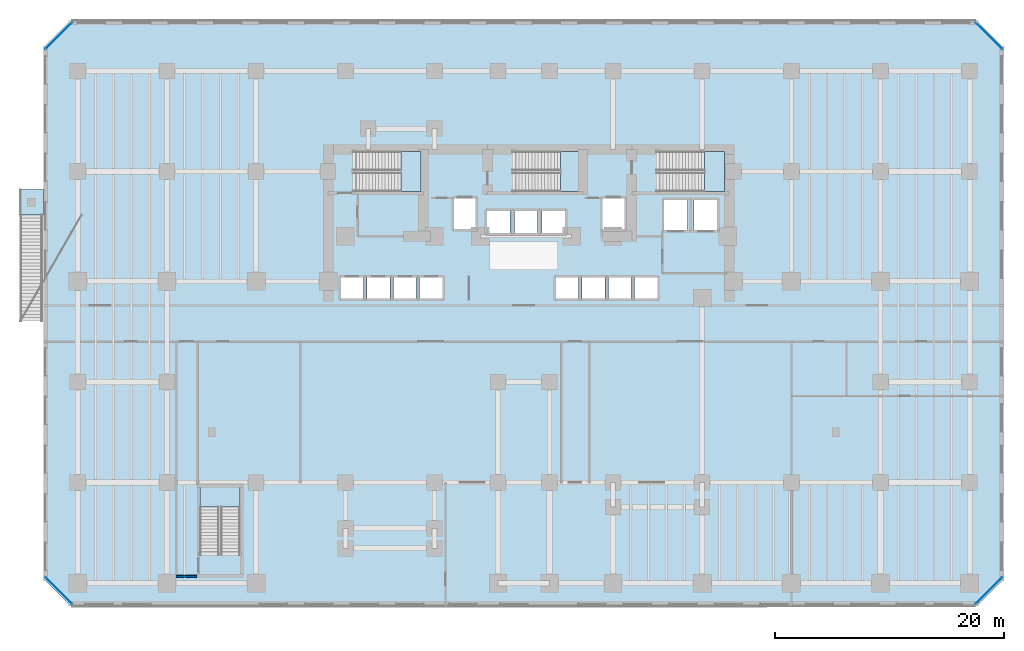
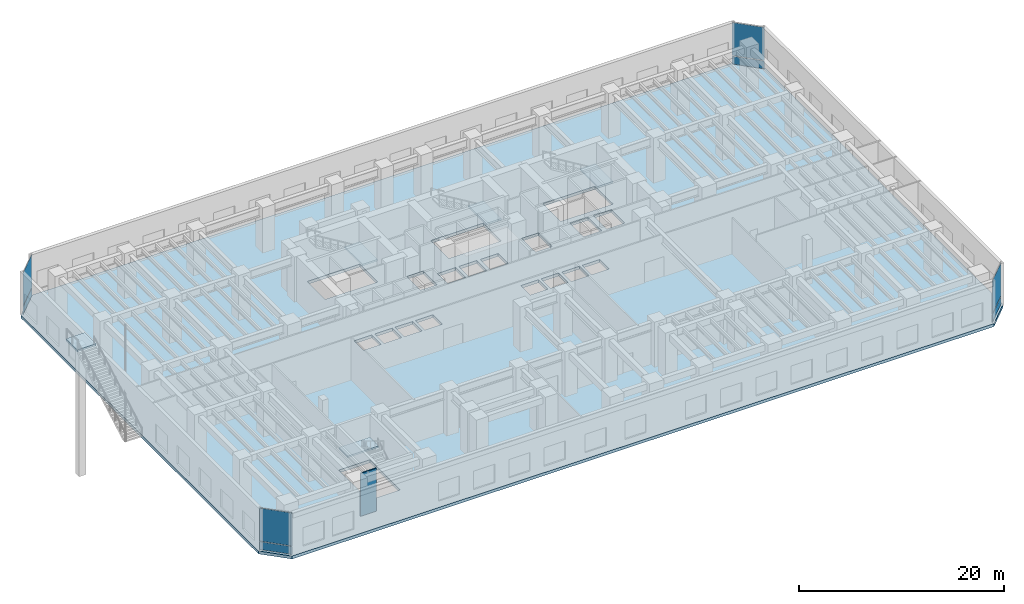
# One storey, part 9 of 21: 8 plates, 6 slabs, 1 wall, 9 elements without a shape of their own.
"""IFC4 building model written with IfcOpenShell, lengths in metres."""

import ifcopenshell
import ifcopenshell.guid

model = None  # the IFC model being written
_history = None  # IfcOwnerHistory: only IFC2X3 demands one
_inside = {}  # id of a spatial element -> (the spatial element, [elements in it])
_under = {}  # id of a project, library or spatial element -> (it, [spatial elements below it])
_declared = {}  # id of a project -> (the project, [libraries it declares])
_typed = {}  # id of a type object -> (the type object, [elements of that type])
_made_of = {}  # id of a material, layer set ... -> (it, [elements and type objects made of it])


def new_model(schema):
    """Start an empty IFC model of exactly this schema.

    Asked for "IFC4X3", IfcOpenShell would pick the latest addendum, in which some entities
    have other attributes; the version numbers below select the first issue.
    IFC2X3 requires an IfcOwnerHistory on every rooted entity: one is made here for all.
    """
    global model, _history
    if schema == "IFC4X3":
        model = ifcopenshell.file(schema_version=(4, 3, 0, 0))
    else:
        model = ifcopenshell.file(schema=schema)
    _inside.clear()
    _under.clear()
    _declared.clear()
    _typed.clear()
    _made_of.clear()
    _history = None
    if model.schema == "IFC2X3":
        org = make("IfcOrganization", Name="unknown")
        user = make(
            "IfcPersonAndOrganization",
            ThePerson=make("IfcPerson", FamilyName="unknown"),
            TheOrganization=org,
        )
        app = make(
            "IfcApplication",
            ApplicationDeveloper=org,
            Version="unknown",
            ApplicationFullName="unknown",
            ApplicationIdentifier="unknown",
        )
        _history = make(
            "IfcOwnerHistory",
            OwningUser=user,
            OwningApplication=app,
            ChangeAction="ADDED",
            CreationDate=0,
        )
    return model


def make(cls, **values):
    """One entity of the class cls with the attributes given. An attribute that is None is left unset."""
    return model.create_entity(
        cls, **{name: value for name, value in values.items() if value is not None}
    )


def rooted(cls, **values):
    """An entity with a GlobalId (a new one), such as an element, a storey or a relation."""
    return make(cls, GlobalId=ifcopenshell.guid.new(), OwnerHistory=_history, **values)


def si_unit(unit_type, name, prefix=None):
    """IfcSIUnit, for example si_unit("LENGTHUNIT", "METRE", prefix="MILLI")."""
    return make("IfcSIUnit", UnitType=unit_type, Prefix=prefix, Name=name)


def assignment(units):
    """IfcUnitAssignment: the units of a project."""
    return None if units is None else make("IfcUnitAssignment", Units=units)


def point(xyz):
    """IfcCartesianPoint."""
    return None if xyz is None else make("IfcCartesianPoint", Coordinates=xyz)


def direction(xyz):
    """IfcDirection."""
    return None if xyz is None else make("IfcDirection", DirectionRatios=xyz)


def frame(location, z_axis=None, x_axis=None):
    """IfcAxis2Placement3D, a coordinate frame: its origin and axes. An axis left out is left unset."""
    return make(
        "IfcAxis2Placement3D",
        Location=point(location),
        Axis=direction(z_axis),
        RefDirection=direction(x_axis),
    )


def frame_2d(location, x_axis=None):
    """IfcAxis2Placement2D, a coordinate frame in the plane: its origin and x axis."""
    return make(
        "IfcAxis2Placement2D", Location=point(location), RefDirection=direction(x_axis)
    )


def origin():
    """The frame at (0, 0, 0) with its axes left unset."""
    return frame((0.0, 0.0, 0.0))


def origin_2d():
    """The frame at (0, 0) in the plane with its x axis left unset."""
    return frame_2d((0.0, 0.0))


def place(relative_to, where):
    """IfcLocalPlacement: puts the frame where relative to a parent placement (None: the world)."""
    return make(
        "IfcLocalPlacement", PlacementRelTo=relative_to, RelativePlacement=where
    )


def context(
    kind, dimensions, precision=None, world=None, true_north=None, identifier=None
):
    """IfcGeometricRepresentationContext, for example the 3D "Model" context."""
    return make(
        "IfcGeometricRepresentationContext",
        ContextIdentifier=identifier,
        ContextType=kind,
        CoordinateSpaceDimension=dimensions,
        Precision=precision,
        WorldCoordinateSystem=world,
        TrueNorth=true_north,
    )


def subcontext(parent, identifier, kind, view, scale=None):
    """IfcGeometricRepresentationSubContext, for example "Body" below "Model"."""
    return make(
        "IfcGeometricRepresentationSubContext",
        ContextIdentifier=identifier,
        ContextType=kind,
        ParentContext=parent,
        TargetScale=scale,
        TargetView=view,
    )


def project(units=None, contexts=None):
    """IfcProject with its units and contexts."""
    return rooted(
        "IfcProject",
        Name="project",
        RepresentationContexts=contexts,
        UnitsInContext=assignment(units),
    )


def spatial(cls, under=None, at=None, **own):
    """A site, building, storey or space (cls), placed at a placement, below another one or the project."""
    s = rooted(cls, ObjectPlacement=at, **own)
    if under is not None:
        _under.setdefault(under.id(), (under, []))[1].append(s)
    return s


def polyline(points):
    """IfcPolyline through the points."""
    return make("IfcPolyline", Points=[point(p) for p in points])


def profile(cls, at=None, kind="AREA", **sizes):
    """A parametric profile (cls). Its sizes go by their IFC names, for example OverallWidth=200.0."""
    return make(cls, ProfileType=kind, Position=at, **sizes)


def rectangle(**sizes):
    """IfcRectangleProfileDef."""
    return profile("IfcRectangleProfileDef", **sizes)


def outline(outer, holes=None, kind="AREA"):
    """IfcArbitraryClosedProfileDef: a profile drawn as a closed curve; with holes, ...WithVoids."""
    if holes is None:
        return make("IfcArbitraryClosedProfileDef", ProfileType=kind, OuterCurve=outer)
    return make(
        "IfcArbitraryProfileDefWithVoids",
        ProfileType=kind,
        OuterCurve=outer,
        InnerCurves=holes,
    )


def extrude(swept, where, along, depth):
    """IfcExtrudedAreaSolid: the profile swept, set in the frame where, extruded along a direction by depth."""
    return make(
        "IfcExtrudedAreaSolid",
        SweptArea=swept,
        Position=where,
        ExtrudedDirection=direction(along),
        Depth=depth,
    )


def shape(context_of_items, identifier, shape_type, items):
    """IfcShapeRepresentation: the items that make up one representation, for example the "Body"."""
    return make(
        "IfcShapeRepresentation",
        ContextOfItems=context_of_items,
        RepresentationIdentifier=identifier,
        RepresentationType=shape_type,
        Items=items,
    )


def material(Name=None, Category=None):
    """IfcMaterial."""
    return make("IfcMaterial", Name=Name, Category=Category)


def layer(
    of_material, thickness, ventilated=None, Name=None, Category=None, Priority=None
):
    """IfcMaterialLayer: one layer of a wall or slab, of a material (None: an air gap)."""
    return make(
        "IfcMaterialLayer",
        Material=of_material,
        LayerThickness=thickness,
        IsVentilated=ventilated,
        Name=Name,
        Category=Category,
        Priority=Priority,
    )


def layer_set(layers, Name=None):
    """IfcMaterialLayerSet."""
    return make("IfcMaterialLayerSet", MaterialLayers=layers, LayerSetName=Name)


def made_of(thing, what):
    """Note that an element or type object is made of a material, layer set ...; save() writes the relation."""
    if what is not None:
        _made_of.setdefault(what.id(), (what, []))[1].append(thing)
    return thing


def type_object(cls, material=None, **own):
    """A type object (cls), such as IfcWallType, which elements share."""
    return made_of(rooted(cls, **own), material)


def element(
    cls,
    number,
    at=None,
    inside=None,
    cuts=None,
    type_object=None,
    material=None,
    context=None,
    identifier="Body",
    shape_type=None,
    held_by="IfcProductDefinitionShape",
    body=None,
    shapes=None,
    **own,
):
    """One element of the class cls, such as IfcWall. Its Tag is "e" and its number.

    at: its placement. inside: the storey or other place that contains it. cuts: it is an
    opening in that element (IfcRelVoidsElement). A single representation is given by context,
    identifier, shape_type and body (its items); several are given by shapes. held_by: the class
    of the entity that holds the representations. save() writes the other relations.
    """
    e = rooted(cls, Tag="e%d" % number, ObjectPlacement=at, **own)
    if body is not None:
        shapes = [shape(context, identifier, shape_type, body)]
    if shapes is not None:
        e.Representation = make(held_by, Representations=shapes)
    if inside is not None:
        _inside.setdefault(inside.id(), (inside, []))[1].append(e)
    if cuts is not None:
        rooted(
            "IfcRelVoidsElement", RelatingBuildingElement=cuts, RelatedOpeningElement=e
        )
    if type_object is not None:
        _typed.setdefault(type_object.id(), (type_object, []))[1].append(e)
    return made_of(e, material)


def aggregate(whole, parts):
    """IfcRelAggregates: a whole, such as a stair, and the parts it consists of."""
    return rooted("IfcRelAggregates", RelatingObject=whole, RelatedObjects=parts)


def save(model, path):
    """Write the relations noted so far, then the file.

    IfcRelAggregates (storeys below a building ...), IfcRelContainedInSpatialStructure (elements
    in a storey), IfcRelDefinesByType, IfcRelAssociatesMaterial and IfcRelDeclares: one each for
    every whole, place, type object, material and project.
    """
    for whole, parts in _under.values():
        aggregate(whole, parts)
    for where, things in _inside.values():
        rooted(
            "IfcRelContainedInSpatialStructure",
            RelatedElements=things,
            RelatingStructure=where,
        )
    for kind, things in _typed.values():
        rooted("IfcRelDefinesByType", RelatedObjects=things, RelatingType=kind)
    for what, things in _made_of.values():
        rooted("IfcRelAssociatesMaterial", RelatedObjects=things, RelatingMaterial=what)
    for by, libraries in _declared.values():
        rooted("IfcRelDeclares", RelatingContext=by, RelatedDefinitions=libraries)
    model.write(path)


model = new_model("IFC4")

# Units and contexts
model_context = context("Model", 3, precision=1e-05, world=origin(), true_north=direction((0.0, 1.0)))
body_context = subcontext(model_context, "Body", "Model", "MODEL_VIEW")
ifc_project = project(units=[si_unit("LENGTHUNIT", "METRE"), si_unit("AREAUNIT", "SQUARE_METRE"), si_unit("VOLUMEUNIT", "CUBIC_METRE"), si_unit("PLANEANGLEUNIT", "RADIAN"), si_unit("MASSUNIT", "GRAM", prefix="KILO")], contexts=[model_context])

# Site, building, storey
site_placement = place(None, origin())
site = spatial("IfcSite", under=ifc_project, at=site_placement, CompositionType="ELEMENT")
building_placement = place(site_placement, origin())
building = spatial("IfcBuilding", under=site, at=building_placement, Name="Kestravale Grand Hotel", CompositionType="ELEMENT")
storey_placement = place(building_placement, frame((0.0, 0.0, 10.39990234375)))
storey = spatial("IfcBuildingStorey", under=building, at=storey_placement, Name="L02", CompositionType="ELEMENT", Elevation=10.39990234375)

# Curtain wall, plates
ifc_material_1 = material(Name="Thermally broken champagne-bronze aluminium and low-E glazing", Category="aluminium")
ifc_layer_1 = layer(ifc_material_1, 0.239990234375)
ifc_layer_set_1 = layer_set([ifc_layer_1], Name="CW-POD")
curtain_wall_type = type_object("IfcCurtainWallType", Name="CW-POD", PredefinedType="NOTDEFINED", material=ifc_layer_set_1)
curtain_wall_1_placement = place(storey_placement, origin())
curtain_wall_1 = element("IfcCurtainWall", 1, at=curtain_wall_1_placement, inside=storey, type_object=curtain_wall_type, Name="L02 unitised curtain wall 2", PredefinedType="NOTDEFINED")
ifc_material_2 = material(Name="Insulated clear low-E double glazing IGU", Category="glass")
ifc_layer_2 = layer(ifc_material_2, 0.035888671875)
ifc_layer_set_2 = layer_set([ifc_layer_2], Name="CW-PNL-36")
plate_type = type_object("IfcPlateType", Name="CW-PNL-36", PredefinedType="CURTAIN_PANEL", material=ifc_layer_set_2)
plate_1_placement = place(storey_placement, frame((79.665771484375, 1.734375, 0.0751953125), z_axis=(0.0, 0.0, 1.0), x_axis=(0.707106781187, 0.707106781187, 0.0)))
plate_1 = element("IfcPlate", 2, at=plate_1_placement, type_object=plate_type, Name="CW-POD panel 1.1", PredefinedType="CURTAIN_PANEL", context=body_context, shape_type="SweptSolid", body=[
    extrude(rectangle(XDim=3.26416015625, YDim=0.035888671875, at=origin_2d()), origin(), (0.0, 0.0, 1.0), 0.9375),
])
plate_2_placement = place(storey_placement, frame((79.665771484375, 1.734375, 1.087646484375), z_axis=(0.0, 0.0, 1.0), x_axis=(0.707106781187, 0.707106781187, 0.0)))
plate_2 = element("IfcPlate", 3, at=plate_2_placement, type_object=plate_type, Name="CW-POD panel 1.2", PredefinedType="CURTAIN_PANEL", context=body_context, shape_type="SweptSolid", body=[
    extrude(rectangle(XDim=3.26416015625, YDim=0.035888671875, at=origin_2d()), origin(), (0.0, 0.0, 1.0), 3.9375),
])
aggregate(curtain_wall_1, [plate_1, plate_2])

curtain_wall_2_placement = place(storey_placement, origin())
curtain_wall_2 = element("IfcCurtainWall", 4, at=curtain_wall_2_placement, inside=storey, type_object=curtain_wall_type, Name="L02 unitised curtain wall 4", PredefinedType="NOTDEFINED")
plate_3_placement = place(storey_placement, frame((79.665771484375, 50.265625, 0.0751953125), z_axis=(0.0, 0.0, 1.0), x_axis=(-0.707106781187, 0.707106781187, 0.0)))
plate_3 = element("IfcPlate", 5, at=plate_3_placement, type_object=plate_type, Name="CW-POD panel 1.1", PredefinedType="CURTAIN_PANEL", context=body_context, shape_type="SweptSolid", body=[
    extrude(rectangle(XDim=3.26416015625, YDim=0.035888671875, at=origin_2d()), origin(), (0.0, 0.0, 1.0), 0.9375),
])
plate_4_placement = place(storey_placement, frame((79.665771484375, 50.265625, 1.087646484375), z_axis=(0.0, 0.0, 1.0), x_axis=(-0.707106781187, 0.707106781187, 0.0)))
plate_4 = element("IfcPlate", 6, at=plate_4_placement, type_object=plate_type, Name="CW-POD panel 1.2", PredefinedType="CURTAIN_PANEL", context=body_context, shape_type="SweptSolid", body=[
    extrude(rectangle(XDim=3.26416015625, YDim=0.035888671875, at=origin_2d()), origin(), (0.0, 0.0, 1.0), 3.9375),
])
aggregate(curtain_wall_2, [plate_3, plate_4])

curtain_wall_3_placement = place(storey_placement, origin())
curtain_wall_3 = element("IfcCurtainWall", 7, at=curtain_wall_3_placement, inside=storey, type_object=curtain_wall_type, Name="L02 unitised curtain wall 6", PredefinedType="NOTDEFINED")
plate_5_placement = place(storey_placement, frame((-1.665771484375, 50.265625, 0.0751953125), z_axis=(0.0, 0.0, 1.0), x_axis=(-0.707106781187, -0.707106781187, 0.0)))
plate_5 = element("IfcPlate", 8, at=plate_5_placement, type_object=plate_type, Name="CW-POD panel 1.1", PredefinedType="CURTAIN_PANEL", context=body_context, shape_type="SweptSolid", body=[
    extrude(rectangle(XDim=3.26416015625, YDim=0.035888671875, at=origin_2d()), origin(), (0.0, 0.0, 1.0), 0.9375),
])
plate_6_placement = place(storey_placement, frame((-1.665771484375, 50.265625, 1.087646484375), z_axis=(0.0, 0.0, 1.0), x_axis=(-0.707106781187, -0.707106781187, 0.0)))
plate_6 = element("IfcPlate", 9, at=plate_6_placement, type_object=plate_type, Name="CW-POD panel 1.2", PredefinedType="CURTAIN_PANEL", context=body_context, shape_type="SweptSolid", body=[
    extrude(rectangle(XDim=3.26416015625, YDim=0.035888671875, at=origin_2d()), origin(), (0.0, 0.0, 1.0), 3.9375),
])
aggregate(curtain_wall_3, [plate_5, plate_6])

curtain_wall_4_placement = place(storey_placement, origin())
curtain_wall_4 = element("IfcCurtainWall", 10, at=curtain_wall_4_placement, inside=storey, type_object=curtain_wall_type, Name="L02 unitised curtain wall 8", PredefinedType="NOTDEFINED")
plate_7_placement = place(storey_placement, frame((-1.665771484375, 1.734375, 0.0751953125), z_axis=(0.0, 0.0, 1.0), x_axis=(0.707106781187, -0.707106781187, 0.0)))
plate_7 = element("IfcPlate", 11, at=plate_7_placement, type_object=plate_type, Name="CW-POD panel 1.1", PredefinedType="CURTAIN_PANEL", context=body_context, shape_type="SweptSolid", body=[
    extrude(rectangle(XDim=3.26416015625, YDim=0.035888671875, at=origin_2d()), origin(), (0.0, 0.0, 1.0), 0.9375),
])
plate_8_placement = place(storey_placement, frame((-1.665771484375, 1.734375, 1.087646484375), z_axis=(0.0, 0.0, 1.0), x_axis=(0.707106781187, -0.707106781187, 0.0)))
plate_8 = element("IfcPlate", 12, at=plate_8_placement, type_object=plate_type, Name="CW-POD panel 1.2", PredefinedType="CURTAIN_PANEL", context=body_context, shape_type="SweptSolid", body=[
    extrude(rectangle(XDim=3.26416015625, YDim=0.035888671875, at=origin_2d()), origin(), (0.0, 0.0, 1.0), 3.9375),
])
aggregate(curtain_wall_4, [plate_7, plate_8])

# Stair, slab
ifc_material_3 = material(Name="Concrete f'c 45 MPa", Category="concrete")
stair_type_1 = type_object("IfcStairType", Name="ST-EXT-GDN", PredefinedType="STRAIGHT_RUN_STAIR", material=ifc_material_3)
stair_1_placement = place(storey_placement, origin())
stair_1 = element("IfcStair", 13, at=stair_1_placement, inside=storey, type_object=stair_type_1, Name="L02 cascading public garden stair 3", PredefinedType="STRAIGHT_RUN_STAIR")
ifc_material_4 = material(Name="Concrete f'c 45 MPa", Category="concrete")
ifc_layer_3 = layer(ifc_material_4, 0.25)
ifc_layer_set_3 = layer_set([ifc_layer_3], Name="SLB-EXT-LND")
slab_type_1 = type_object("IfcSlabType", Name="SLB-EXT-LND", PredefinedType="LANDING", material=ifc_layer_set_3)
slab_1_placement = place(storey_placement, frame((0.0, 0.0, 5.150146484375)))
slab_1 = element("IfcSlab", 14, at=slab_1_placement, type_object=slab_type_1, Name="ST-G3 landing 1", PredefinedType="LANDING", context=body_context, shape_type="SweptSolid", body=[
    extrude(outline(polyline([(-5.050048828125, 34.6201171875), (-2.949951171875, 34.6201171875), (-2.949951171875, 36.820068359375), (-5.050048828125, 36.820068359375), (-5.050048828125, 34.6201171875)])), origin(), (0.0, 0.0, 1.0), 0.25),
])
aggregate(stair_1, [slab_1])

ifc_material_5 = material(Name="Concrete f'c 45 MPa", Category="concrete")
stair_type_2 = type_object("IfcStairType", Name="ST-CORE-540", PredefinedType="HALF_TURN_STAIR", material=ifc_material_5)
stair_2_placement = place(storey_placement, origin())
stair_2 = element("IfcStair", 15, at=stair_2_placement, inside=storey, type_object=stair_type_2, Name="L02 ST-1", PredefinedType="HALF_TURN_STAIR")
ifc_material_6 = material(Name="Concrete f'c 45 MPa", Category="concrete")
ifc_layer_4 = layer(ifc_material_6, 0.199951171875)
ifc_layer_set_4 = layer_set([ifc_layer_4], Name="SLB-ST-LND200")
slab_type_2 = type_object("IfcSlabType", Name="SLB-ST-LND200", PredefinedType="LANDING", material=ifc_layer_set_4)
slab_2_placement = place(storey_placement, frame((0.0, 0.0, 2.5)))
slab_2 = element("IfcSlab", 16, at=slab_2_placement, type_object=slab_type_2, Name="ST-1 landing 1", PredefinedType="LANDING", context=body_context, shape_type="SweptSolid", body=[
    extrude(outline(polyline([(28.280029296875, 36.64990234375), (30.0, 36.64990234375), (30.0, 40.159912109375), (28.280029296875, 40.159912109375), (28.280029296875, 36.64990234375)])), origin(), (0.0, 0.0, 1.0), 0.2001953125),
])
aggregate(stair_2, [slab_2])

stair_3_placement = place(storey_placement, origin())
stair_3 = element("IfcStair", 17, at=stair_3_placement, inside=storey, type_object=stair_type_2, Name="L02 ST-2", PredefinedType="HALF_TURN_STAIR")
slab_3_placement = place(storey_placement, frame((0.0, 0.0, 2.5)))
slab_3 = element("IfcSlab", 18, at=slab_3_placement, type_object=slab_type_2, Name="ST-2 landing 1", PredefinedType="LANDING", context=body_context, shape_type="SweptSolid", body=[
    extrude(outline(polyline([(42.22998046875, 36.64990234375), (43.949951171875, 36.64990234375), (43.949951171875, 40.159912109375), (42.22998046875, 40.159912109375), (42.22998046875, 36.64990234375)])), origin(), (0.0, 0.0, 1.0), 0.2001953125),
])
aggregate(stair_3, [slab_3])

stair_4_placement = place(storey_placement, origin())
stair_4 = element("IfcStair", 19, at=stair_4_placement, inside=storey, type_object=stair_type_2, Name="L02 ST-3", PredefinedType="HALF_TURN_STAIR")
slab_4_placement = place(storey_placement, frame((0.0, 0.0, 2.5)))
slab_4 = element("IfcSlab", 20, at=slab_4_placement, type_object=slab_type_2, Name="ST-3 landing 1", PredefinedType="LANDING", context=body_context, shape_type="SweptSolid", body=[
    extrude(outline(polyline([(54.830078125, 36.64990234375), (56.550048828125, 36.64990234375), (56.550048828125, 40.159912109375), (54.830078125, 40.159912109375), (54.830078125, 36.64990234375)])), origin(), (0.0, 0.0, 1.0), 0.2001953125),
])
aggregate(stair_4, [slab_4])

stair_5_placement = place(storey_placement, origin())
stair_5 = element("IfcStair", 21, at=stair_5_placement, inside=storey, type_object=stair_type_2, Name="L02 ST-4", PredefinedType="HALF_TURN_STAIR")
slab_5_placement = place(storey_placement, frame((0.0, 0.0, 2.5)))
slab_5 = element("IfcSlab", 22, at=slab_5_placement, type_object=slab_type_2, Name="ST-4 landing 1", PredefinedType="LANDING", context=body_context, shape_type="SweptSolid", body=[
    extrude(outline(polyline([(14.199951171875, 9.080078125), (14.199951171875, 10.800048828125), (10.68994140625, 10.800048828125), (10.68994140625, 9.080078125), (14.199951171875, 9.080078125)])), origin(), (0.0, 0.0, 1.0), 0.2001953125),
])
aggregate(stair_5, [slab_5])

# Slab
ifc_material_7 = material(Name="Concrete f'c 45 MPa", Category="concrete")
ifc_layer_5 = layer(ifc_material_7, 0.35009765625)
ifc_layer_set_5 = layer_set([ifc_layer_5], Name="SS-POD-350")
slab_type_3 = type_object("IfcSlabType", Name="SS-POD-350", PredefinedType="FLOOR", material=ifc_layer_set_5)
slab_6_placement = place(storey_placement, frame((0.0, 0.0, -0.349853515625)))
element("IfcSlab", 23, at=slab_6_placement, inside=storey, type_object=slab_type_3, Name="L02 structural floor slab", PredefinedType="FLOOR", context=body_context, shape_type="SweptSolid", body=[
    extrude(outline(polyline([(-0.60009765625, 0.39990234375), (78.60009765625, 0.39990234375), (81.0, 2.800048828125), (81.0, 49.199951171875), (78.60009765625, 51.60009765625), (-0.60009765625, 51.60009765625), (-3.0, 49.199951171875), (-3.0, 2.800048828125), (-0.60009765625, 0.39990234375)]), holes=[polyline([(24.080078125, 36.64990234375), (30.0, 36.64990234375), (30.0, 40.159912109375), (24.080078125, 40.159912109375), (24.080078125, 36.64990234375)]), polyline([(38.030029296875, 36.64990234375), (43.949951171875, 36.64990234375), (43.949951171875, 40.159912109375), (38.030029296875, 40.159912109375), (38.030029296875, 36.64990234375)]), polyline([(50.6298828125, 36.64990234375), (56.550048828125, 36.64990234375), (56.550048828125, 40.159912109375), (50.6298828125, 40.159912109375), (50.6298828125, 36.64990234375)]), polyline([(14.199951171875, 4.8798828125), (14.199951171875, 10.800048828125), (10.68994140625, 10.800048828125), (10.68994140625, 4.8798828125), (14.199951171875, 4.8798828125)]), polyline([(23.0048828125, 27.280029296875), (24.9951171875, 27.280029296875), (24.9951171875, 29.1201171875), (23.0048828125, 29.1201171875), (23.0048828125, 27.280029296875)]), polyline([(25.304931640625, 27.280029296875), (27.294921875, 27.280029296875), (27.294921875, 29.1201171875), (25.304931640625, 29.1201171875), (25.304931640625, 27.280029296875)]), polyline([(27.60498046875, 27.280029296875), (29.594970703125, 27.280029296875), (29.594970703125, 29.1201171875), (27.60498046875, 29.1201171875), (27.60498046875, 27.280029296875)]), polyline([(29.905029296875, 27.280029296875), (31.89501953125, 27.280029296875), (31.89501953125, 29.1201171875), (29.905029296875, 29.1201171875), (29.905029296875, 27.280029296875)]), polyline([(41.804931640625, 27.280029296875), (43.794921875, 27.280029296875), (43.794921875, 29.1201171875), (41.804931640625, 29.1201171875), (41.804931640625, 27.280029296875)]), polyline([(44.10498046875, 27.280029296875), (46.094970703125, 27.280029296875), (46.094970703125, 29.1201171875), (44.10498046875, 29.1201171875), (44.10498046875, 27.280029296875)]), polyline([(46.405029296875, 27.280029296875), (48.39501953125, 27.280029296875), (48.39501953125, 29.1201171875), (46.405029296875, 29.1201171875), (46.405029296875, 27.280029296875)]), polyline([(48.705078125, 27.280029296875), (50.695068359375, 27.280029296875), (50.695068359375, 29.1201171875), (48.705078125, 29.1201171875), (48.705078125, 27.280029296875)]), polyline([(35.780029296875, 33.030029296875), (37.820068359375, 33.030029296875), (37.820068359375, 34.969970703125), (35.780029296875, 34.969970703125), (35.780029296875, 33.030029296875)]), polyline([(38.179931640625, 33.030029296875), (40.219970703125, 33.030029296875), (40.219970703125, 34.969970703125), (38.179931640625, 34.969970703125), (38.179931640625, 33.030029296875)]), polyline([(40.580078125, 33.030029296875), (42.6201171875, 33.030029296875), (42.6201171875, 34.969970703125), (40.580078125, 34.969970703125), (40.580078125, 33.030029296875)]), polyline([(32.905029296875, 33.35498046875), (34.794921875, 33.35498046875), (34.794921875, 36.044921875), (32.905029296875, 36.044921875), (32.905029296875, 33.35498046875)]), polyline([(45.905029296875, 33.35498046875), (47.794921875, 33.35498046875), (47.794921875, 36.044921875), (45.905029296875, 36.044921875), (45.905029296875, 33.35498046875)]), polyline([(51.280029296875, 33.280029296875), (53.320068359375, 33.280029296875), (53.320068359375, 35.919921875), (51.280029296875, 35.919921875), (51.280029296875, 33.280029296875)]), polyline([(53.8798828125, 33.280029296875), (55.919921875, 33.280029296875), (55.919921875, 35.919921875), (53.8798828125, 35.919921875), (53.8798828125, 33.280029296875)])]), origin(), (0.0, 0.0, 1.0), 0.349853515625),
])

# Wall
ifc_material_8 = material(Name="Acoustic fire-rated gypsum board partition", Category="other")
ifc_layer_6 = layer(ifc_material_8, 0.159912109375)
ifc_layer_set_6 = layer_set([ifc_layer_6], Name="IW-CORR-160")
wall_type = type_object("IfcWallType", Name="IW-CORR-160", PredefinedType="PARTITIONING", material=ifc_layer_set_6)
wall_placement = place(storey_placement, frame((8.60009765625, 3.0, 0.0), z_axis=(0.0, 0.0, 1.0), x_axis=(1.0, 0.0, 0.0)))
element("IfcWall", 24, at=wall_placement, inside=storey, type_object=wall_type, Name="W-L02-ST4C-S", PredefinedType="PARTITIONING", context=body_context, shape_type="SweptSolid", body=[
    extrude(rectangle(XDim=1.789794921875, YDim=0.159912109375, at=frame_2d((0.89501953125, 0.0))), origin(), (0.0, 0.0, 1.0), 5.10009765625),
])

save(model, "model.ifc")
